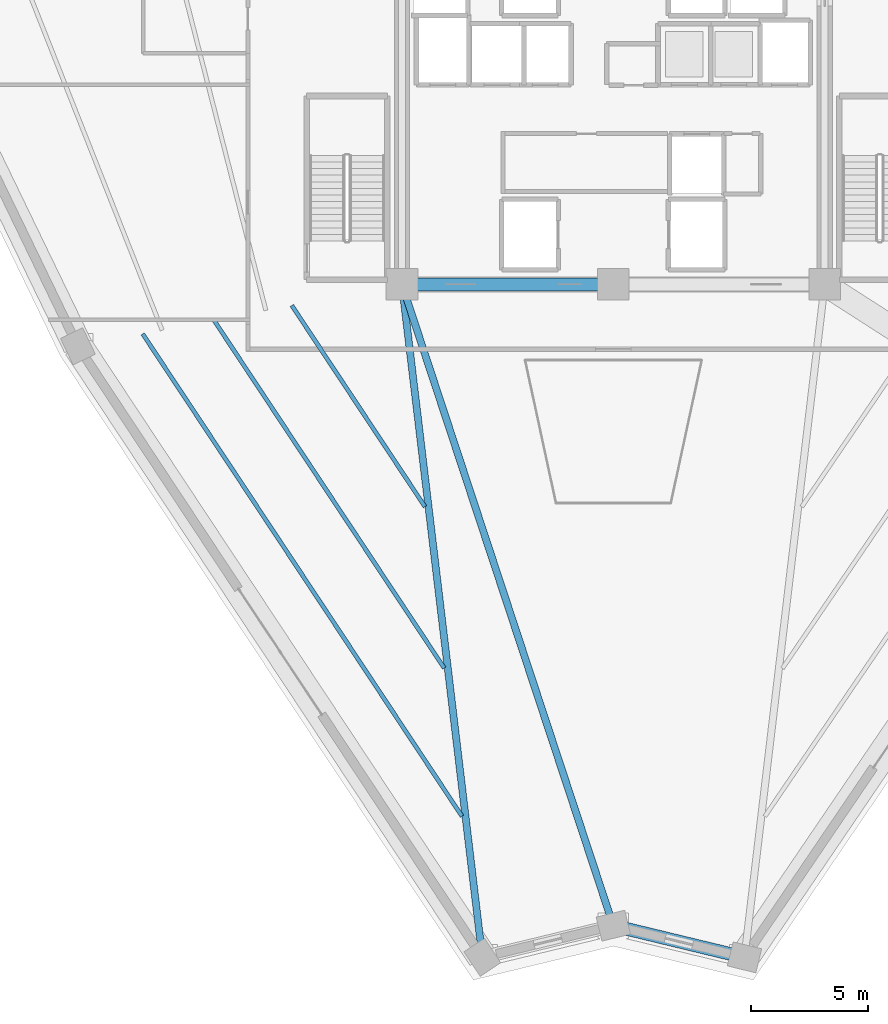
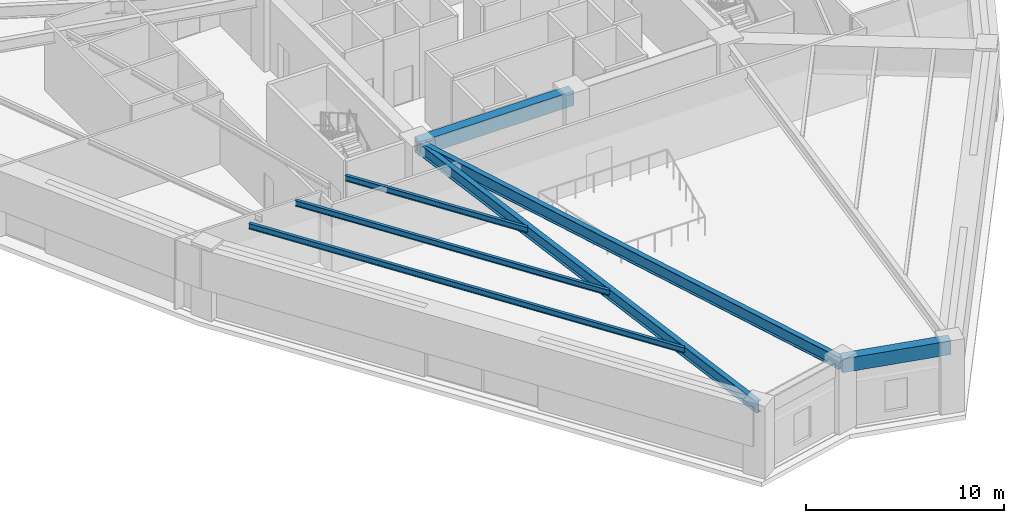
# One storey, part 5 of 39: 7 beams.
"""IFC4 building model written with IfcOpenShell, lengths in metres."""

from ifc_helpers import new_model, si_unit, direction, frame, origin, origin_2d, place, context, subcontext, project, spatial, rectangle, i_section, extrude, source, transform, mapped, material, material_profile, profile_set, type_object, element, save


model = new_model("IFC4")

# Units and contexts
model_context = context("Model", 3, precision=1e-05, world=origin(), true_north=direction((0.0, 1.0)))
body_context = subcontext(model_context, "Body", "Model", "MODEL_VIEW")
ifc_project = project(units=[si_unit("LENGTHUNIT", "METRE"), si_unit("AREAUNIT", "SQUARE_METRE"), si_unit("VOLUMEUNIT", "CUBIC_METRE"), si_unit("PLANEANGLEUNIT", "RADIAN"), si_unit("MASSUNIT", "GRAM", prefix="KILO")], contexts=[model_context])

# Site, building, storey
site_placement = place(None, origin())
site = spatial("IfcSite", under=ifc_project, at=site_placement, CompositionType="ELEMENT")
building_placement = place(site_placement, origin())
building = spatial("IfcBuilding", under=site, at=building_placement, Name="Liaohun Quay Tower", CompositionType="ELEMENT")
storey_placement = place(building_placement, frame((0.0, 0.0, 189.75)))
storey = spatial("IfcBuildingStorey", under=building, at=storey_placement, Name="L49", CompositionType="ELEMENT", Elevation=189.75)

# Beams
ifc_material_1 = material(Name="Steel Q355D", Category="steel")
ifc_material_profile_1 = material_profile(ifc_material_1, i_section(OverallWidth=0.300048828125, OverallDepth=0.75, WebThickness=0.013916015625, FlangeThickness=0.02587890625, at=origin_2d()), Name="HN750x300x14x26")
ifc_profile_set_1 = profile_set([ifc_material_profile_1], Name="Steel Q355D")
beam_type_1 = type_object("IfcBeamType", Name="BM-RAD-M2", PredefinedType="BEAM", material=ifc_profile_set_1)
shared_shape_1 = source(origin(), body_context, "Body", "SweptSolid", [
    extrude(i_section(OverallWidth=0.300048828125, OverallDepth=0.75, WebThickness=0.013916015625, FlangeThickness=0.02587890625, at=origin_2d()), origin(), (0.0, 0.0, 1.0), 28.7509765625),
])
beam_1_placement = place(storey_placement, frame((51.0, 46.5, 3.945068359375), z_axis=(0.313033987205, -0.949741924343, 0.0), x_axis=(0.949741924343, 0.313033987205, 0.0)))
element("IfcBeam", 1, at=beam_1_placement, inside=storey, type_object=beam_type_1, Name="L49 Radial Primary Girder CC1-PC12", PredefinedType="BEAM", context=body_context, shape_type="MappedRepresentation", body=[
    mapped(shared_shape_1, transform((0.0, 0.0, 0.0), x_axis=(1.0, 0.0, 0.0), y_axis=(0.0, 1.0, 0.0), z_axis=(0.0, 0.0, 1.0), scale=1.0)),
])
ifc_material_2 = material(Name="Concrete C55", Category="concrete")
ifc_material_profile_2 = material_profile(ifc_material_2, rectangle(XDim=0.550048828125, YDim=0.89990234375, at=origin_2d()), Name="RC550x900")
ifc_profile_set_2 = profile_set([ifc_material_profile_2], Name="Concrete C55")
beam_type_2 = type_object("IfcBeamType", Name="BM-CPL-2", PredefinedType="LINTEL", material=ifc_profile_set_2)
shared_shape_2 = source(origin(), body_context, "Body", "SweptSolid", [
    extrude(rectangle(XDim=0.550048828125, YDim=0.89990234375, at=origin_2d()), origin(), (0.0, 0.0, 1.0), 9.0),
])
beam_2_placement = place(storey_placement, frame((51.0, 46.5, 3.8701171875), z_axis=(1.0, 0.0, 0.0), x_axis=(0.0, 1.0, 0.0)))
element("IfcBeam", 2, at=beam_2_placement, inside=storey, type_object=beam_type_2, Name="L49 Core Coupling/Ring Beam CC1-CC2", PredefinedType="LINTEL", context=body_context, shape_type="MappedRepresentation", body=[
    mapped(shared_shape_2, transform((0.0, 0.0, 0.0), x_axis=(1.0, 0.0, 0.0), y_axis=(0.0, 1.0, 0.0), z_axis=(0.0, 0.0, 1.0), scale=1.0)),
])
ifc_material_3 = material(Name="Precast concrete C50", Category="concrete")
ifc_material_profile_3 = material_profile(ifc_material_3, rectangle(XDim=0.550048828125, YDim=0.85009765625, at=origin_2d()), Name="RC550x850")
ifc_profile_set_3 = profile_set([ifc_material_profile_3], Name="Precast concrete C50")
beam_type_3 = type_object("IfcBeamType", Name="BM-SPD-Z3", PredefinedType="SPANDREL", material=ifc_profile_set_3)
shared_shape_3 = source(origin(), body_context, "Body", "SweptSolid", [
    extrude(rectangle(XDim=0.550048828125, YDim=0.85009765625, at=origin_2d()), origin(), (0.0, 0.0, 1.0), 5.74560546875),
])
beam_3_placement = place(storey_placement, frame((65.5849609375, 17.844970703125, 3.89501953125), z_axis=(-0.972041420908, 0.234809446229, 0.0), x_axis=(-0.234809446229, -0.972041420908, 0.0)))
element("IfcBeam", 3, at=beam_3_placement, inside=storey, type_object=beam_type_3, Name="L49 Precast Spandrel Beam PC11-PC12", PredefinedType="SPANDREL", context=body_context, shape_type="MappedRepresentation", body=[
    mapped(shared_shape_3, transform((0.0, 0.0, 0.0), x_axis=(1.0, 0.0, 0.0), y_axis=(0.0, 1.0, 0.0), z_axis=(0.0, 0.0, 1.0), scale=1.0)),
])
ifc_material_profile_4 = material_profile(ifc_material_1, i_section(OverallWidth=0.300048828125, OverallDepth=0.699951171875, WebThickness=0.012939453125, FlangeThickness=0.02392578125, at=origin_2d()), Name="HN700x300x13x24")
ifc_profile_set_4 = profile_set([ifc_material_profile_4], Name="Steel Q355D")
beam_type_4 = type_object("IfcBeamType", Name="BM-RAD-U1", PredefinedType="BEAM", material=ifc_profile_set_4)
shared_shape_4 = source(origin(), body_context, "Body", "SweptSolid", [
    extrude(i_section(OverallWidth=0.300048828125, OverallDepth=0.699951171875, WebThickness=0.012939453125, FlangeThickness=0.02392578125, at=origin_2d()), origin(), (0.0, 0.0, 1.0), 28.85693359375),
])
beam_4_placement = place(storey_placement, frame((51.0, 46.5, 3.969970703125), z_axis=(0.118623434289, -0.992939313774, 0.0), x_axis=(0.992939313774, 0.118623434289, 0.0)))
element("IfcBeam", 4, at=beam_4_placement, inside=storey, type_object=beam_type_4, Name="L49 Radial Primary Girder CC1-PC01", PredefinedType="BEAM", context=body_context, shape_type="MappedRepresentation", body=[
    mapped(shared_shape_4, transform((0.0, 0.0, 0.0), x_axis=(1.0, 0.0, 0.0), y_axis=(0.0, 1.0, 0.0), z_axis=(0.0, 0.0, 1.0), scale=1.0)),
])
ifc_material_profile_5 = material_profile(ifc_material_1, i_section(OverallWidth=0.175048828125, OverallDepth=0.35009765625, WebThickness=0.007080078125, FlangeThickness=0.010986328125, at=origin_2d()), Name="HN350x175x7x11")
ifc_profile_set_5 = profile_set([ifc_material_profile_5], Name="Steel Q355D")
beam_type_5 = type_object("IfcBeamType", Name="BM-SEC-J3", PredefinedType="JOIST", material=ifc_profile_set_5)
shared_shape_5 = source(origin(), body_context, "Body", "SweptSolid", [
    extrude(i_section(OverallWidth=0.175048828125, OverallDepth=0.35009765625, WebThickness=0.007080078125, FlangeThickness=0.010986328125, at=origin_2d()), origin(), (0.0, 0.0, 1.0), 10.274169921875),
])
beam_5_placement = place(storey_placement, frame((51.97900390625, 37.035888671875, 4.14501953125), z_axis=(-0.551856450953, 0.833939121004, 0.0), x_axis=(-0.833939121004, -0.551856450953, 0.0)))
element("IfcBeam", 5, at=beam_5_placement, inside=storey, type_object=beam_type_5, Name="L49 Wing Secondary Floor Joist SJ-01", PredefinedType="JOIST", context=body_context, shape_type="MappedRepresentation", body=[
    mapped(shared_shape_5, transform((0.0, 0.0, 0.0), x_axis=(1.0, 0.0, 0.0), y_axis=(0.0, 1.0, 0.0), z_axis=(0.0, 0.0, 1.0), scale=1.0)),
])
shared_shape_6 = source(origin(), body_context, "Body", "SweptSolid", [
    extrude(i_section(OverallWidth=0.175048828125, OverallDepth=0.35009765625, WebThickness=0.007080078125, FlangeThickness=0.010986328125, at=origin_2d()), origin(), (0.0, 0.0, 1.0), 17.761962890625),
])
beam_6_placement = place(storey_placement, frame((52.801025390625, 30.159912109375, 4.14501953125), z_axis=(-0.5519661419, 0.83386652301, 0.0), x_axis=(-0.83386652301, -0.5519661419, 0.0)))
element("IfcBeam", 6, at=beam_6_placement, inside=storey, type_object=beam_type_5, Name="L49 Wing Secondary Floor Joist SJ-02", PredefinedType="JOIST", context=body_context, shape_type="MappedRepresentation", body=[
    mapped(shared_shape_6, transform((0.0, 0.0, 0.0), x_axis=(1.0, 0.0, 0.0), y_axis=(0.0, 1.0, 0.0), z_axis=(0.0, 0.0, 1.0), scale=1.0)),
])
shared_shape_7 = source(origin(), body_context, "Body", "SweptSolid", [
    extrude(i_section(OverallWidth=0.175048828125, OverallDepth=0.35009765625, WebThickness=0.007080078125, FlangeThickness=0.010986328125, at=origin_2d()), origin(), (0.0, 0.0, 1.0), 24.6259765625),
])
beam_7_placement = place(storey_placement, frame((53.553955078125, 23.85595703125, 4.14501953125), z_axis=(-0.551940305906, 0.833883624205, 0.0), x_axis=(-0.833883624205, -0.551940305906, 0.0)))
element("IfcBeam", 7, at=beam_7_placement, inside=storey, type_object=beam_type_5, Name="L49 Wing Secondary Floor Joist SJ-03", PredefinedType="JOIST", context=body_context, shape_type="MappedRepresentation", body=[
    mapped(shared_shape_7, transform((0.0, 0.0, 0.0), x_axis=(1.0, 0.0, 0.0), y_axis=(0.0, 1.0, 0.0), z_axis=(0.0, 0.0, 1.0), scale=1.0)),
])

save(model, "model.ifc")
